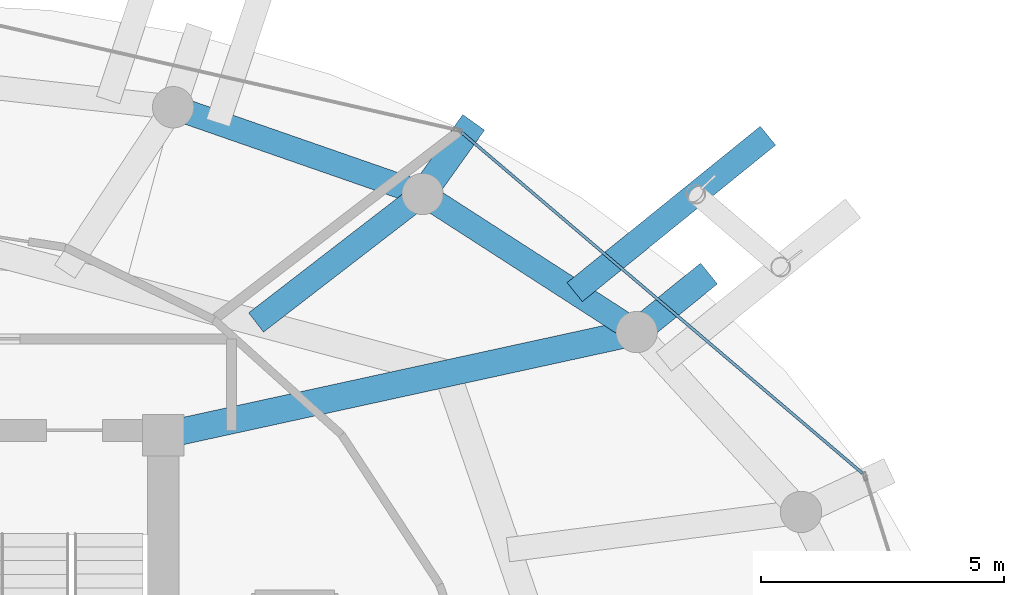
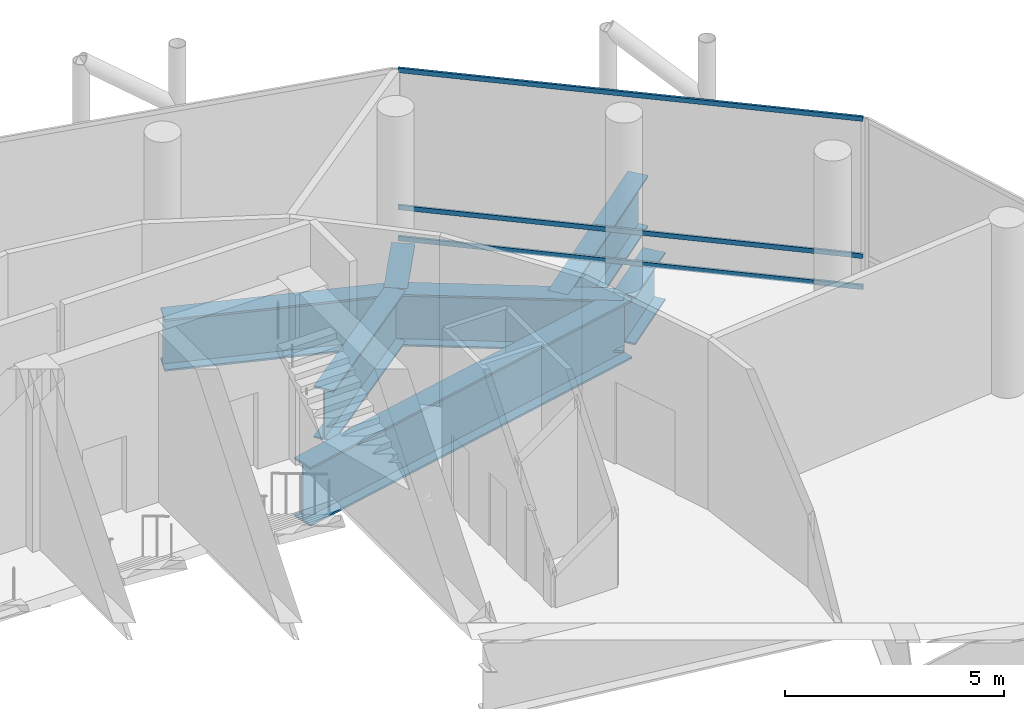
# One storey, part 21 of 31: 7 beams, 3 members, 1 element without a shape of its own.
"""IFC4 building model written with IfcOpenShell, lengths in metres."""

from ifc_helpers import new_model, si_unit, direction, frame, origin, origin_2d, place, context, subcontext, project, spatial, hollow_rectangle, i_section, extrude, material, layer, layer_set, material_profile, profile_set, type_object, element, aggregate, save


model = new_model("IFC4")

# Units and contexts
model_context = context("Model", 3, precision=1e-05, world=origin(), true_north=direction((0.0, 1.0)))
body_context = subcontext(model_context, "Body", "Model", "MODEL_VIEW")
ifc_project = project(units=[si_unit("LENGTHUNIT", "METRE"), si_unit("AREAUNIT", "SQUARE_METRE"), si_unit("VOLUMEUNIT", "CUBIC_METRE"), si_unit("PLANEANGLEUNIT", "RADIAN"), si_unit("MASSUNIT", "GRAM", prefix="KILO")], contexts=[model_context])

# Site, building, storey
site_placement = place(None, origin())
site = spatial("IfcSite", under=ifc_project, at=site_placement, CompositionType="ELEMENT")
building_placement = place(site_placement, origin())
building = spatial("IfcBuilding", under=site, at=building_placement, Name="Nuhasar Tower", CompositionType="ELEMENT")
storey_placement = place(building_placement, frame((0.0, 0.0, 203.14990234375)))
storey = spatial("IfcBuildingStorey", under=building, at=storey_placement, Name="L49", CompositionType="ELEMENT", Elevation=203.14990234375)

# Beams
ifc_material_1 = material(Name="Steel S460", Category="steel")
ifc_material_profile_1 = material_profile(ifc_material_1, i_section(OverallWidth=0.550048828125, OverallDepth=1.35009765625, WebThickness=0.028076171875, FlangeThickness=0.050048828125, at=origin_2d()), Name="PG1350X550")
ifc_profile_set_1 = profile_set([ifc_material_profile_1], Name="Steel S460")
beam_type_1 = type_object("IfcBeamType", Name="BM-XFER-PG1350", PredefinedType="USERDEFINED", material=ifc_profile_set_1)
beam_1_placement = place(storey_placement, frame((54.02587890625, 39.422119140625, -0.994873046875), z_axis=(0.777328188004, 0.629095293366, 0.0), x_axis=(-0.629095293366, 0.777328188004, 0.0)))
element("IfcBeam", 1, at=beam_1_placement, inside=storey, type_object=beam_type_1, Name="L49 Radial Step Transfer Girder 05", ObjectType="GIRDER", PredefinedType="USERDEFINED", context=body_context, shape_type="SweptSolid", body=[
    extrude(i_section(OverallWidth=0.550048828125, OverallDepth=1.35009765625, WebThickness=0.028076171875, FlangeThickness=0.050048828125, at=origin_2d()), origin(), (0.0, 0.0, 1.0), 1.91064453125),
])
beam_2_placement = place(storey_placement, frame((49.625, 42.259033203125, -0.994873046875), z_axis=(0.580752721666, 0.81408001835, 0.0), x_axis=(-0.81408001835, 0.580752721666, 0.0)))
element("IfcBeam", 2, at=beam_2_placement, inside=storey, type_object=beam_type_1, Name="L49 Outer Column Step Transfer Girder 05", ObjectType="GIRDER", PredefinedType="USERDEFINED", context=body_context, shape_type="SweptSolid", body=[
    extrude(i_section(OverallWidth=0.550048828125, OverallDepth=1.35009765625, WebThickness=0.028076171875, FlangeThickness=0.050048828125, at=origin_2d()), origin(), (0.0, 0.0, 1.0), 1.80810546875),
])
ifc_material_profile_2 = material_profile(ifc_material_1, i_section(OverallWidth=0.5, OverallDepth=1.449951171875, WebThickness=0.028076171875, FlangeThickness=0.050048828125, at=origin_2d()), Name="PG1450X500")
ifc_profile_set_2 = profile_set([ifc_material_profile_2], Name="Steel S460")
beam_type_2 = type_object("IfcBeamType", Name="BM-XFER-PG1450", PredefinedType="USERDEFINED", material=ifc_profile_set_2)
beam_3_placement = place(storey_placement, frame((54.02587890625, 39.422119140625, -1.044921875), z_axis=(-0.840502144969, 0.541808217272, 0.0), x_axis=(-0.541808217272, -0.840502144969, 0.0)))
element("IfcBeam", 3, at=beam_3_placement, inside=storey, type_object=beam_type_2, Name="L49 Perimeter Ring Spandrel 04", ObjectType="GIRDER", PredefinedType="USERDEFINED", context=body_context, shape_type="SweptSolid", body=[
    extrude(i_section(OverallWidth=0.5, OverallDepth=1.449951171875, WebThickness=0.028076171875, FlangeThickness=0.050048828125, at=origin_2d()), origin(), (0.0, 0.0, 1.0), 5.236083984375),
])
beam_4_placement = place(storey_placement, frame((49.625, 42.259033203125, -1.044921875), z_axis=(-0.944476764686, 0.328578211342, 0.0), x_axis=(-0.328578211342, -0.944476764686, 0.0)))
element("IfcBeam", 4, at=beam_4_placement, inside=storey, type_object=beam_type_2, Name="L49 Perimeter Ring Spandrel 05", ObjectType="GIRDER", PredefinedType="USERDEFINED", context=body_context, shape_type="SweptSolid", body=[
    extrude(i_section(OverallWidth=0.5, OverallDepth=1.449951171875, WebThickness=0.028076171875, FlangeThickness=0.050048828125, at=origin_2d()), origin(), (0.0, 0.0, 1.0), 5.42626953125),
])
beam_5_placement = place(storey_placement, frame((46.2041015625, 39.618896484375, -1.044921875), z_axis=(0.791652644657, 0.610971431581, 0.0), x_axis=(-0.610971431581, 0.791652644657, 0.0)))
element("IfcBeam", 5, at=beam_5_placement, inside=storey, type_object=beam_type_2, Name="L49 Inner Column Transfer Girder 05", ObjectType="GIRDER", PredefinedType="USERDEFINED", context=body_context, shape_type="SweptSolid", body=[
    extrude(i_section(OverallWidth=0.5, OverallDepth=1.449951171875, WebThickness=0.028076171875, FlangeThickness=0.050048828125, at=origin_2d()), origin(), (0.0, 0.0, 1.0), 4.3212890625),
])
beam_6_placement = place(storey_placement, frame((52.751953125, 40.242919921875, -1.044921875), z_axis=(0.777289384617, 0.629143236919, 0.0), x_axis=(-0.629143236919, 0.777289384617, 0.0)))
element("IfcBeam", 6, at=beam_6_placement, inside=storey, type_object=beam_type_2, Name="L49 Exoskeleton Step Transfer Girder 04", ObjectType="GIRDER", PredefinedType="USERDEFINED", context=body_context, shape_type="SweptSolid", body=[
    extrude(i_section(OverallWidth=0.5, OverallDepth=1.449951171875, WebThickness=0.028076171875, FlangeThickness=0.050048828125, at=origin_2d()), origin(), (0.0, 0.0, 1.0), 5.108642578125),
])
ifc_material_profile_3 = material_profile(ifc_material_1, i_section(OverallWidth=0.550048828125, OverallDepth=1.64990234375, WebThickness=0.031982421875, FlangeThickness=0.054931640625, at=origin_2d()), Name="PG1650X550")
ifc_profile_set_3 = profile_set([ifc_material_profile_3], Name="Steel S460")
beam_type_3 = type_object("IfcBeamType", Name="BM-XFER-PG1650", PredefinedType="USERDEFINED", material=ifc_profile_set_3)
beam_7_placement = place(storey_placement, frame((44.300048828125, 37.300048828125, -1.14501953125), z_axis=(0.977014275474, 0.213173885644, 0.0), x_axis=(-0.213173885644, 0.977014275474, 0.0)))
element("IfcBeam", 7, at=beam_7_placement, inside=storey, type_object=beam_type_3, Name="L49 Radial Floor Girder 05", ObjectType="GIRDER", PredefinedType="USERDEFINED", context=body_context, shape_type="SweptSolid", body=[
    extrude(i_section(OverallWidth=0.550048828125, OverallDepth=1.64990234375, WebThickness=0.031982421875, FlangeThickness=0.054931640625, at=origin_2d()), origin(), (0.0, 0.0, 1.0), 9.95458984375),
])

# Curtain wall, members
ifc_material_2 = material(Name="Aluminium 6063-T6", Category="aluminium")
ifc_layer = layer(ifc_material_2, 0.239990234375)
ifc_layer_set = layer_set([ifc_layer], Name="Aluminium 6063-T6")
curtain_wall_type = type_object("IfcCurtainWallType", Name="CW-SKY-LBY", PredefinedType="NOTDEFINED", material=ifc_layer_set)
curtain_wall_placement = place(storey_placement, origin())
curtain_wall = element("IfcCurtainWall", 8, at=curtain_wall_placement, inside=storey, type_object=curtain_wall_type, Name="L49 Unitised Curtain Wall 02", PredefinedType="NOTDEFINED")
ifc_material_profile_4 = material_profile(ifc_material_2, hollow_rectangle(XDim=0.06005859375, YDim=0.1298828125, WallThickness=0.00439453125, at=origin_2d()), Name="CWT-6")
ifc_profile_set_4 = profile_set([ifc_material_profile_4], Name="Aluminium 6063-T6")
member_type = type_object("IfcMemberType", Name="CW-TRN-S6", PredefinedType="USERDEFINED", material=ifc_profile_set_4)
member_1_placement = place(storey_placement, frame((58.665283203125, 36.518798828125, 0.030029296875), z_axis=(-0.761723760695, 0.647901931154, 0.0), x_axis=(-0.647901931154, -0.761723760695, 0.0)))
member_1 = element("IfcMember", 9, at=member_1_placement, type_object=member_type, Name="CW-SL transom 1.1", ObjectType="TRANSOM", PredefinedType="USERDEFINED", context=body_context, shape_type="SweptSolid", body=[
    extrude(hollow_rectangle(XDim=0.06005859375, YDim=0.1298828125, WallThickness=0.00439453125, at=origin_2d()), origin(), (0.0, 0.0, 1.0), 10.81689453125),
])
member_2_placement = place(storey_placement, frame((58.665283203125, 36.518798828125, 0.900146484375), z_axis=(-0.761723760695, 0.647901931154, 0.0), x_axis=(-0.647901931154, -0.761723760695, 0.0)))
member_2 = element("IfcMember", 10, at=member_2_placement, type_object=member_type, Name="CW-SL transom 1.2", ObjectType="TRANSOM", PredefinedType="USERDEFINED", context=body_context, shape_type="SweptSolid", body=[
    extrude(hollow_rectangle(XDim=0.06005859375, YDim=0.1298828125, WallThickness=0.00439453125, at=origin_2d()), origin(), (0.0, 0.0, 1.0), 10.81689453125),
])
member_3_placement = place(storey_placement, frame((58.665283203125, 36.518798828125, 4.72998046875), z_axis=(-0.761723760695, 0.647901931154, 0.0), x_axis=(-0.647901931154, -0.761723760695, 0.0)))
member_3 = element("IfcMember", 11, at=member_3_placement, type_object=member_type, Name="CW-SL transom 1.3", ObjectType="TRANSOM", PredefinedType="USERDEFINED", context=body_context, shape_type="SweptSolid", body=[
    extrude(hollow_rectangle(XDim=0.06005859375, YDim=0.1298828125, WallThickness=0.00439453125, at=origin_2d()), origin(), (0.0, 0.0, 1.0), 10.81689453125),
])
aggregate(curtain_wall, [member_1, member_2, member_3])

save(model, "model.ifc")
